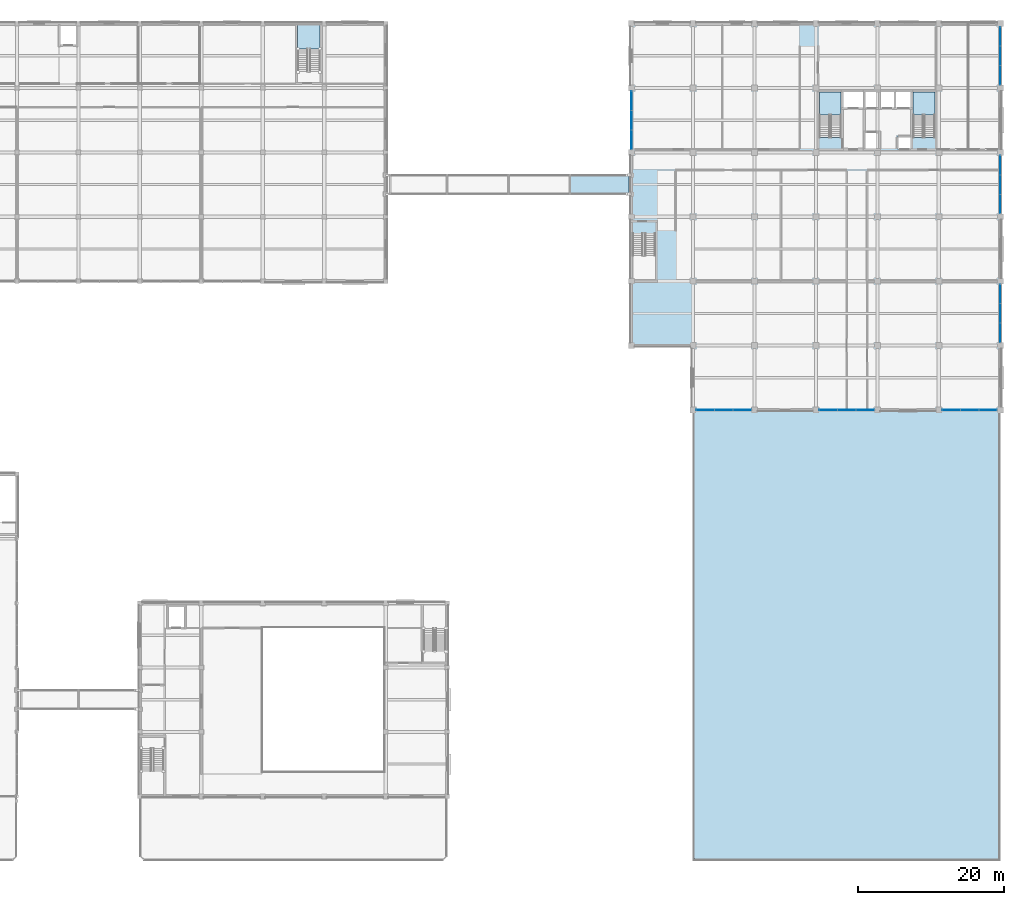
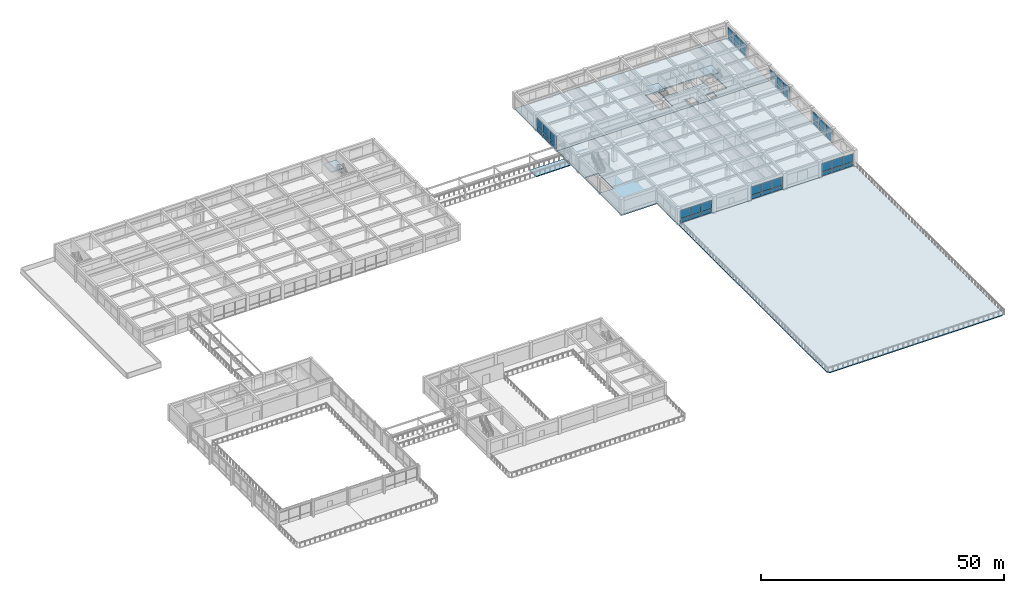
# One storey, part 31 of 57: 42 plates, 7 slabs, 10 elements without a shape of their own.
"""IFC4 building model written with IfcOpenShell, lengths in metres."""

from ifc_helpers import new_model, si_unit, direction, frame, origin, origin_2d, place, context, subcontext, project, spatial, polyline, rectangle, outline, extrude, material, layer, layer_set, type_object, element, aggregate, save


model = new_model("IFC4")

# Units and contexts
model_context = context("Model", 3, precision=1e-05, world=origin(), true_north=direction((0.0, 1.0)))
body_context = subcontext(model_context, "Body", "Model", "MODEL_VIEW")
ifc_project = project(units=[si_unit("LENGTHUNIT", "METRE"), si_unit("AREAUNIT", "SQUARE_METRE"), si_unit("VOLUMEUNIT", "CUBIC_METRE"), si_unit("PLANEANGLEUNIT", "RADIAN"), si_unit("MASSUNIT", "GRAM", prefix="KILO")], contexts=[model_context])

# Site, building, storey
site_placement = place(None, origin())
site = spatial("IfcSite", under=ifc_project, at=site_placement, CompositionType="ELEMENT")
building_placement = place(site_placement, origin())
building = spatial("IfcBuilding", under=site, at=building_placement, Name="Kemercrest Conservatory and Botanical Centre", CompositionType="ELEMENT")
storey_placement = place(building_placement, frame((0.0, 0.0, 4.800048828125)))
storey = spatial("IfcBuildingStorey", under=building, at=storey_placement, Name="L01", CompositionType="ELEMENT", Elevation=4.800048828125)

# Curtain wall, plates
ifc_material_1 = material(Name="Thermally broken aluminium and triple low-e glazing", Category="aluminium")
curtain_wall_type_1 = type_object("IfcCurtainWallType", Name="CW-19", PredefinedType="USERDEFINED", material=ifc_material_1)
curtain_wall_1_placement = place(storey_placement, origin())
curtain_wall_1 = element("IfcCurtainWall", 1, at=curtain_wall_1_placement, inside=storey, type_object=curtain_wall_type_1, Name="Unitised curtain wall CW-19 (CW:L01:V4-048)", ObjectType="UNITISED CURTAIN WALL", PredefinedType="USERDEFINED")
ifc_material_2 = material(Name="Triple low-e argon insulated glazing unit", Category="glass")
ifc_layer_1 = layer(ifc_material_2, 0.035888671875)
ifc_layer_set_1 = layer_set([ifc_layer_1], Name="Triple low-e argon insulated glazing unit")
plate_type = type_object("IfcPlateType", Name="CW-PNL036", PredefinedType="CURTAIN_PANEL", material=ifc_layer_set_1)
plate_1_placement = place(storey_placement, frame((135.6796875, 69.60009765625, 0.179931640625), z_axis=(0.0, 0.0, 1.0), x_axis=(1.0, 0.0, 0.0)))
plate_1 = element("IfcPlate", 2, at=plate_1_placement, type_object=plate_type, Name="CW-19 panel 1.1", PredefinedType="CURTAIN_PANEL", context=body_context, shape_type="SweptSolid", body=[
    extrude(rectangle(XDim=2.439208984375, YDim=0.035888671875, at=origin_2d()), origin(), (0.0, 0.0, 1.0), 0.85009765625),
])
plate_2_placement = place(storey_placement, frame((135.6796875, 69.60009765625, 1.2099609375), z_axis=(0.0, 0.0, 1.0), x_axis=(1.0, 0.0, 0.0)))
plate_2 = element("IfcPlate", 3, at=plate_2_placement, type_object=plate_type, Name="CW-19 panel 1.2", PredefinedType="CURTAIN_PANEL", context=body_context, shape_type="SweptSolid", body=[
    extrude(rectangle(XDim=2.439208984375, YDim=0.035888671875, at=origin_2d()), origin(), (0.0, 0.0, 1.0), 2.06494140625),
])
plate_3_placement = place(storey_placement, frame((138.199951171875, 69.60009765625, 0.179931640625), z_axis=(0.0, 0.0, 1.0), x_axis=(1.0, 0.0, 0.0)))
plate_3 = element("IfcPlate", 4, at=plate_3_placement, type_object=plate_type, Name="CW-19 panel 2.1", PredefinedType="CURTAIN_PANEL", context=body_context, shape_type="SweptSolid", body=[
    extrude(rectangle(XDim=2.4716796875, YDim=0.035888671875, at=origin_2d()), origin(), (0.0, 0.0, 1.0), 0.85009765625),
])
plate_4_placement = place(storey_placement, frame((138.199951171875, 69.60009765625, 1.2099609375), z_axis=(0.0, 0.0, 1.0), x_axis=(1.0, 0.0, 0.0)))
plate_4 = element("IfcPlate", 5, at=plate_4_placement, type_object=plate_type, Name="CW-19 panel 2.2", PredefinedType="CURTAIN_PANEL", context=body_context, shape_type="SweptSolid", body=[
    extrude(rectangle(XDim=2.4716796875, YDim=0.035888671875, at=origin_2d()), origin(), (0.0, 0.0, 1.0), 2.06494140625),
])
plate_5_placement = place(storey_placement, frame((140.720458984375, 69.60009765625, 0.179931640625), z_axis=(0.0, 0.0, 1.0), x_axis=(1.0, 0.0, 0.0)))
plate_5 = element("IfcPlate", 6, at=plate_5_placement, type_object=plate_type, Name="CW-19 panel 3.1", PredefinedType="CURTAIN_PANEL", context=body_context, shape_type="SweptSolid", body=[
    extrude(rectangle(XDim=2.439208984375, YDim=0.035888671875, at=origin_2d()), origin(), (0.0, 0.0, 1.0), 0.85009765625),
])
plate_6_placement = place(storey_placement, frame((140.720458984375, 69.60009765625, 1.2099609375), z_axis=(0.0, 0.0, 1.0), x_axis=(1.0, 0.0, 0.0)))
plate_6 = element("IfcPlate", 7, at=plate_6_placement, type_object=plate_type, Name="CW-19 panel 3.2", PredefinedType="CURTAIN_PANEL", context=body_context, shape_type="SweptSolid", body=[
    extrude(rectangle(XDim=2.439208984375, YDim=0.035888671875, at=origin_2d()), origin(), (0.0, 0.0, 1.0), 2.06494140625),
])
aggregate(curtain_wall_1, [plate_1, plate_2, plate_3, plate_4, plate_5, plate_6])

curtain_wall_type_2 = type_object("IfcCurtainWallType", Name="CW-20", PredefinedType="USERDEFINED", material=ifc_material_1)
curtain_wall_2_placement = place(storey_placement, origin())
curtain_wall_2 = element("IfcCurtainWall", 8, at=curtain_wall_2_placement, inside=storey, type_object=curtain_wall_type_2, Name="Unitised curtain wall CW-20 (CW:L01:V4-049)", ObjectType="UNITISED CURTAIN WALL", PredefinedType="USERDEFINED")
plate_7_placement = place(storey_placement, frame((152.4794921875, 69.60009765625, 0.179931640625), z_axis=(0.0, 0.0, 1.0), x_axis=(1.0, 0.0, 0.0)))
plate_7 = element("IfcPlate", 9, at=plate_7_placement, type_object=plate_type, Name="CW-20 panel 1.1", PredefinedType="CURTAIN_PANEL", context=body_context, shape_type="SweptSolid", body=[
    extrude(rectangle(XDim=2.439208984375, YDim=0.035888671875, at=origin_2d()), origin(), (0.0, 0.0, 1.0), 0.85009765625),
])
plate_8_placement = place(storey_placement, frame((152.4794921875, 69.60009765625, 1.2099609375), z_axis=(0.0, 0.0, 1.0), x_axis=(1.0, 0.0, 0.0)))
plate_8 = element("IfcPlate", 10, at=plate_8_placement, type_object=plate_type, Name="CW-20 panel 1.2", PredefinedType="CURTAIN_PANEL", context=body_context, shape_type="SweptSolid", body=[
    extrude(rectangle(XDim=2.439208984375, YDim=0.035888671875, at=origin_2d()), origin(), (0.0, 0.0, 1.0), 2.06494140625),
])
plate_9_placement = place(storey_placement, frame((155.0, 69.60009765625, 0.179931640625), z_axis=(0.0, 0.0, 1.0), x_axis=(1.0, 0.0, 0.0)))
plate_9 = element("IfcPlate", 11, at=plate_9_placement, type_object=plate_type, Name="CW-20 panel 2.1", PredefinedType="CURTAIN_PANEL", context=body_context, shape_type="SweptSolid", body=[
    extrude(rectangle(XDim=2.4716796875, YDim=0.035888671875, at=origin_2d()), origin(), (0.0, 0.0, 1.0), 0.85009765625),
])
plate_10_placement = place(storey_placement, frame((155.0, 69.60009765625, 1.2099609375), z_axis=(0.0, 0.0, 1.0), x_axis=(1.0, 0.0, 0.0)))
plate_10 = element("IfcPlate", 12, at=plate_10_placement, type_object=plate_type, Name="CW-20 panel 2.2", PredefinedType="CURTAIN_PANEL", context=body_context, shape_type="SweptSolid", body=[
    extrude(rectangle(XDim=2.4716796875, YDim=0.035888671875, at=origin_2d()), origin(), (0.0, 0.0, 1.0), 2.06494140625),
])
plate_11_placement = place(storey_placement, frame((157.5205078125, 69.60009765625, 0.179931640625), z_axis=(0.0, 0.0, 1.0), x_axis=(1.0, 0.0, 0.0)))
plate_11 = element("IfcPlate", 13, at=plate_11_placement, type_object=plate_type, Name="CW-20 panel 3.1", PredefinedType="CURTAIN_PANEL", context=body_context, shape_type="SweptSolid", body=[
    extrude(rectangle(XDim=2.439208984375, YDim=0.035888671875, at=origin_2d()), origin(), (0.0, 0.0, 1.0), 0.85009765625),
])
plate_12_placement = place(storey_placement, frame((157.5205078125, 69.60009765625, 1.2099609375), z_axis=(0.0, 0.0, 1.0), x_axis=(1.0, 0.0, 0.0)))
plate_12 = element("IfcPlate", 14, at=plate_12_placement, type_object=plate_type, Name="CW-20 panel 3.2", PredefinedType="CURTAIN_PANEL", context=body_context, shape_type="SweptSolid", body=[
    extrude(rectangle(XDim=2.439208984375, YDim=0.035888671875, at=origin_2d()), origin(), (0.0, 0.0, 1.0), 2.06494140625),
])
aggregate(curtain_wall_2, [plate_7, plate_8, plate_9, plate_10, plate_11, plate_12])

curtain_wall_type_3 = type_object("IfcCurtainWallType", Name="CW-21", PredefinedType="USERDEFINED", material=ifc_material_1)
curtain_wall_3_placement = place(storey_placement, origin())
curtain_wall_3 = element("IfcCurtainWall", 15, at=curtain_wall_3_placement, inside=storey, type_object=curtain_wall_type_3, Name="Unitised curtain wall CW-21 (CW:L01:V4-050)", ObjectType="UNITISED CURTAIN WALL", PredefinedType="USERDEFINED")
plate_13_placement = place(storey_placement, frame((169.279541015625, 69.60009765625, 0.179931640625), z_axis=(0.0, 0.0, 1.0), x_axis=(1.0, 0.0, 0.0)))
plate_13 = element("IfcPlate", 16, at=plate_13_placement, type_object=plate_type, Name="CW-21 panel 1.1", PredefinedType="CURTAIN_PANEL", context=body_context, shape_type="SweptSolid", body=[
    extrude(rectangle(XDim=2.439208984375, YDim=0.035888671875, at=origin_2d()), origin(), (0.0, 0.0, 1.0), 0.85009765625),
])
plate_14_placement = place(storey_placement, frame((169.279541015625, 69.60009765625, 1.2099609375), z_axis=(0.0, 0.0, 1.0), x_axis=(1.0, 0.0, 0.0)))
plate_14 = element("IfcPlate", 17, at=plate_14_placement, type_object=plate_type, Name="CW-21 panel 1.2", PredefinedType="CURTAIN_PANEL", context=body_context, shape_type="SweptSolid", body=[
    extrude(rectangle(XDim=2.439208984375, YDim=0.035888671875, at=origin_2d()), origin(), (0.0, 0.0, 1.0), 2.06494140625),
])
plate_15_placement = place(storey_placement, frame((171.800048828125, 69.60009765625, 0.179931640625), z_axis=(0.0, 0.0, 1.0), x_axis=(1.0, 0.0, 0.0)))
plate_15 = element("IfcPlate", 18, at=plate_15_placement, type_object=plate_type, Name="CW-21 panel 2.1", PredefinedType="CURTAIN_PANEL", context=body_context, shape_type="SweptSolid", body=[
    extrude(rectangle(XDim=2.4716796875, YDim=0.035888671875, at=origin_2d()), origin(), (0.0, 0.0, 1.0), 0.85009765625),
])
plate_16_placement = place(storey_placement, frame((171.800048828125, 69.60009765625, 1.2099609375), z_axis=(0.0, 0.0, 1.0), x_axis=(1.0, 0.0, 0.0)))
plate_16 = element("IfcPlate", 19, at=plate_16_placement, type_object=plate_type, Name="CW-21 panel 2.2", PredefinedType="CURTAIN_PANEL", context=body_context, shape_type="SweptSolid", body=[
    extrude(rectangle(XDim=2.4716796875, YDim=0.035888671875, at=origin_2d()), origin(), (0.0, 0.0, 1.0), 2.06494140625),
])
plate_17_placement = place(storey_placement, frame((174.3203125, 69.60009765625, 0.179931640625), z_axis=(0.0, 0.0, 1.0), x_axis=(1.0, 0.0, 0.0)))
plate_17 = element("IfcPlate", 20, at=plate_17_placement, type_object=plate_type, Name="CW-21 panel 3.1", PredefinedType="CURTAIN_PANEL", context=body_context, shape_type="SweptSolid", body=[
    extrude(rectangle(XDim=2.439208984375, YDim=0.035888671875, at=origin_2d()), origin(), (0.0, 0.0, 1.0), 0.85009765625),
])
plate_18_placement = place(storey_placement, frame((174.3203125, 69.60009765625, 1.2099609375), z_axis=(0.0, 0.0, 1.0), x_axis=(1.0, 0.0, 0.0)))
plate_18 = element("IfcPlate", 21, at=plate_18_placement, type_object=plate_type, Name="CW-21 panel 3.2", PredefinedType="CURTAIN_PANEL", context=body_context, shape_type="SweptSolid", body=[
    extrude(rectangle(XDim=2.439208984375, YDim=0.035888671875, at=origin_2d()), origin(), (0.0, 0.0, 1.0), 2.06494140625),
])
aggregate(curtain_wall_3, [plate_13, plate_14, plate_15, plate_16, plate_17, plate_18])

curtain_wall_type_4 = type_object("IfcCurtainWallType", Name="CW-22", PredefinedType="USERDEFINED", material=ifc_material_1)
curtain_wall_4_placement = place(storey_placement, origin())
curtain_wall_4 = element("IfcCurtainWall", 22, at=curtain_wall_4_placement, inside=storey, type_object=curtain_wall_type_4, Name="Unitised curtain wall CW-22 (CW:L01:V4-051)", ObjectType="UNITISED CURTAIN WALL", PredefinedType="USERDEFINED")
plate_19_placement = place(storey_placement, frame((176.0, 80.146240234375, 0.179931640625), z_axis=(0.0, 0.0, 1.0), x_axis=(0.0, 1.0, 0.0)))
plate_19 = element("IfcPlate", 23, at=plate_19_placement, type_object=plate_type, Name="CW-22 panel 1.1", PredefinedType="CURTAIN_PANEL", context=body_context, shape_type="SweptSolid", body=[
    extrude(rectangle(XDim=2.572509765625, YDim=0.035888671875, at=origin_2d()), origin(), (0.0, 0.0, 1.0), 0.85009765625),
])
plate_20_placement = place(storey_placement, frame((176.0, 80.146240234375, 1.2099609375), z_axis=(0.0, 0.0, 1.0), x_axis=(0.0, 1.0, 0.0)))
plate_20 = element("IfcPlate", 24, at=plate_20_placement, type_object=plate_type, Name="CW-22 panel 1.2", PredefinedType="CURTAIN_PANEL", context=body_context, shape_type="SweptSolid", body=[
    extrude(rectangle(XDim=2.572509765625, YDim=0.035888671875, at=origin_2d()), origin(), (0.0, 0.0, 1.0), 2.06494140625),
])
plate_21_placement = place(storey_placement, frame((176.0, 82.800048828125, 0.179931640625), z_axis=(0.0, 0.0, 1.0), x_axis=(0.0, 1.0, 0.0)))
plate_21 = element("IfcPlate", 25, at=plate_21_placement, type_object=plate_type, Name="CW-22 panel 2.1", PredefinedType="CURTAIN_PANEL", context=body_context, shape_type="SweptSolid", body=[
    extrude(rectangle(XDim=2.60498046875, YDim=0.035888671875, at=origin_2d()), origin(), (0.0, 0.0, 1.0), 0.85009765625),
])
plate_22_placement = place(storey_placement, frame((176.0, 82.800048828125, 1.2099609375), z_axis=(0.0, 0.0, 1.0), x_axis=(0.0, 1.0, 0.0)))
plate_22 = element("IfcPlate", 26, at=plate_22_placement, type_object=plate_type, Name="CW-22 panel 2.2", PredefinedType="CURTAIN_PANEL", context=body_context, shape_type="SweptSolid", body=[
    extrude(rectangle(XDim=2.60498046875, YDim=0.035888671875, at=origin_2d()), origin(), (0.0, 0.0, 1.0), 2.06494140625),
])
plate_23_placement = place(storey_placement, frame((176.0, 85.453857421875, 0.179931640625), z_axis=(0.0, 0.0, 1.0), x_axis=(0.0, 1.0, 0.0)))
plate_23 = element("IfcPlate", 27, at=plate_23_placement, type_object=plate_type, Name="CW-22 panel 3.1", PredefinedType="CURTAIN_PANEL", context=body_context, shape_type="SweptSolid", body=[
    extrude(rectangle(XDim=2.572509765625, YDim=0.035888671875, at=origin_2d()), origin(), (0.0, 0.0, 1.0), 0.85009765625),
])
plate_24_placement = place(storey_placement, frame((176.0, 85.453857421875, 1.2099609375), z_axis=(0.0, 0.0, 1.0), x_axis=(0.0, 1.0, 0.0)))
plate_24 = element("IfcPlate", 28, at=plate_24_placement, type_object=plate_type, Name="CW-22 panel 3.2", PredefinedType="CURTAIN_PANEL", context=body_context, shape_type="SweptSolid", body=[
    extrude(rectangle(XDim=2.572509765625, YDim=0.035888671875, at=origin_2d()), origin(), (0.0, 0.0, 1.0), 2.06494140625),
])
aggregate(curtain_wall_4, [plate_19, plate_20, plate_21, plate_22, plate_23, plate_24])

curtain_wall_type_5 = type_object("IfcCurtainWallType", Name="CW-23", PredefinedType="USERDEFINED", material=ifc_material_1)
curtain_wall_5_placement = place(storey_placement, origin())
curtain_wall_5 = element("IfcCurtainWall", 29, at=curtain_wall_5_placement, inside=storey, type_object=curtain_wall_type_5, Name="Unitised curtain wall CW-23 (CW:L01:V4-052)", ObjectType="UNITISED CURTAIN WALL", PredefinedType="USERDEFINED")
plate_25_placement = place(storey_placement, frame((176.0, 97.746337890625, 0.179931640625), z_axis=(0.0, 0.0, 1.0), x_axis=(0.0, 1.0, 0.0)))
plate_25 = element("IfcPlate", 30, at=plate_25_placement, type_object=plate_type, Name="CW-23 panel 1.1", PredefinedType="CURTAIN_PANEL", context=body_context, shape_type="SweptSolid", body=[
    extrude(rectangle(XDim=2.572509765625, YDim=0.035888671875, at=origin_2d()), origin(), (0.0, 0.0, 1.0), 0.85009765625),
])
plate_26_placement = place(storey_placement, frame((176.0, 97.746337890625, 1.2099609375), z_axis=(0.0, 0.0, 1.0), x_axis=(0.0, 1.0, 0.0)))
plate_26 = element("IfcPlate", 31, at=plate_26_placement, type_object=plate_type, Name="CW-23 panel 1.2", PredefinedType="CURTAIN_PANEL", context=body_context, shape_type="SweptSolid", body=[
    extrude(rectangle(XDim=2.572509765625, YDim=0.035888671875, at=origin_2d()), origin(), (0.0, 0.0, 1.0), 2.06494140625),
])
plate_27_placement = place(storey_placement, frame((176.0, 100.39990234375, 0.179931640625), z_axis=(0.0, 0.0, 1.0), x_axis=(0.0, 1.0, 0.0)))
plate_27 = element("IfcPlate", 32, at=plate_27_placement, type_object=plate_type, Name="CW-23 panel 2.1", PredefinedType="CURTAIN_PANEL", context=body_context, shape_type="SweptSolid", body=[
    extrude(rectangle(XDim=2.60498046875, YDim=0.035888671875, at=origin_2d()), origin(), (0.0, 0.0, 1.0), 0.85009765625),
])
plate_28_placement = place(storey_placement, frame((176.0, 100.39990234375, 1.2099609375), z_axis=(0.0, 0.0, 1.0), x_axis=(0.0, 1.0, 0.0)))
plate_28 = element("IfcPlate", 33, at=plate_28_placement, type_object=plate_type, Name="CW-23 panel 2.2", PredefinedType="CURTAIN_PANEL", context=body_context, shape_type="SweptSolid", body=[
    extrude(rectangle(XDim=2.60498046875, YDim=0.035888671875, at=origin_2d()), origin(), (0.0, 0.0, 1.0), 2.06494140625),
])
plate_29_placement = place(storey_placement, frame((176.0, 103.0537109375, 0.179931640625), z_axis=(0.0, 0.0, 1.0), x_axis=(0.0, 1.0, 0.0)))
plate_29 = element("IfcPlate", 34, at=plate_29_placement, type_object=plate_type, Name="CW-23 panel 3.1", PredefinedType="CURTAIN_PANEL", context=body_context, shape_type="SweptSolid", body=[
    extrude(rectangle(XDim=2.572509765625, YDim=0.035888671875, at=origin_2d()), origin(), (0.0, 0.0, 1.0), 0.85009765625),
])
plate_30_placement = place(storey_placement, frame((176.0, 103.0537109375, 1.2099609375), z_axis=(0.0, 0.0, 1.0), x_axis=(0.0, 1.0, 0.0)))
plate_30 = element("IfcPlate", 35, at=plate_30_placement, type_object=plate_type, Name="CW-23 panel 3.2", PredefinedType="CURTAIN_PANEL", context=body_context, shape_type="SweptSolid", body=[
    extrude(rectangle(XDim=2.572509765625, YDim=0.035888671875, at=origin_2d()), origin(), (0.0, 0.0, 1.0), 2.06494140625),
])
aggregate(curtain_wall_5, [plate_25, plate_26, plate_27, plate_28, plate_29, plate_30])

curtain_wall_type_6 = type_object("IfcCurtainWallType", Name="CW-24", PredefinedType="USERDEFINED", material=ifc_material_1)
curtain_wall_6_placement = place(storey_placement, origin())
curtain_wall_6 = element("IfcCurtainWall", 36, at=curtain_wall_6_placement, inside=storey, type_object=curtain_wall_type_6, Name="Unitised curtain wall CW-24 (CW:L01:V4-053)", ObjectType="UNITISED CURTAIN WALL", PredefinedType="USERDEFINED")
plate_31_placement = place(storey_placement, frame((176.0, 115.34619140625, 0.179931640625), z_axis=(0.0, 0.0, 1.0), x_axis=(0.0, 1.0, 0.0)))
plate_31 = element("IfcPlate", 37, at=plate_31_placement, type_object=plate_type, Name="CW-24 panel 1.1", PredefinedType="CURTAIN_PANEL", context=body_context, shape_type="SweptSolid", body=[
    extrude(rectangle(XDim=2.572509765625, YDim=0.035888671875, at=origin_2d()), origin(), (0.0, 0.0, 1.0), 0.85009765625),
])
plate_32_placement = place(storey_placement, frame((176.0, 115.34619140625, 1.2099609375), z_axis=(0.0, 0.0, 1.0), x_axis=(0.0, 1.0, 0.0)))
plate_32 = element("IfcPlate", 38, at=plate_32_placement, type_object=plate_type, Name="CW-24 panel 1.2", PredefinedType="CURTAIN_PANEL", context=body_context, shape_type="SweptSolid", body=[
    extrude(rectangle(XDim=2.572509765625, YDim=0.035888671875, at=origin_2d()), origin(), (0.0, 0.0, 1.0), 2.06494140625),
])
plate_33_placement = place(storey_placement, frame((176.0, 118.0, 0.179931640625), z_axis=(0.0, 0.0, 1.0), x_axis=(0.0, 1.0, 0.0)))
plate_33 = element("IfcPlate", 39, at=plate_33_placement, type_object=plate_type, Name="CW-24 panel 2.1", PredefinedType="CURTAIN_PANEL", context=body_context, shape_type="SweptSolid", body=[
    extrude(rectangle(XDim=2.60498046875, YDim=0.035888671875, at=origin_2d()), origin(), (0.0, 0.0, 1.0), 0.85009765625),
])
plate_34_placement = place(storey_placement, frame((176.0, 118.0, 1.2099609375), z_axis=(0.0, 0.0, 1.0), x_axis=(0.0, 1.0, 0.0)))
plate_34 = element("IfcPlate", 40, at=plate_34_placement, type_object=plate_type, Name="CW-24 panel 2.2", PredefinedType="CURTAIN_PANEL", context=body_context, shape_type="SweptSolid", body=[
    extrude(rectangle(XDim=2.60498046875, YDim=0.035888671875, at=origin_2d()), origin(), (0.0, 0.0, 1.0), 2.06494140625),
])
plate_35_placement = place(storey_placement, frame((176.0, 120.65380859375, 0.179931640625), z_axis=(0.0, 0.0, 1.0), x_axis=(0.0, 1.0, 0.0)))
plate_35 = element("IfcPlate", 41, at=plate_35_placement, type_object=plate_type, Name="CW-24 panel 3.1", PredefinedType="CURTAIN_PANEL", context=body_context, shape_type="SweptSolid", body=[
    extrude(rectangle(XDim=2.572509765625, YDim=0.035888671875, at=origin_2d()), origin(), (0.0, 0.0, 1.0), 0.85009765625),
])
plate_36_placement = place(storey_placement, frame((176.0, 120.65380859375, 1.2099609375), z_axis=(0.0, 0.0, 1.0), x_axis=(0.0, 1.0, 0.0)))
plate_36 = element("IfcPlate", 42, at=plate_36_placement, type_object=plate_type, Name="CW-24 panel 3.2", PredefinedType="CURTAIN_PANEL", context=body_context, shape_type="SweptSolid", body=[
    extrude(rectangle(XDim=2.572509765625, YDim=0.035888671875, at=origin_2d()), origin(), (0.0, 0.0, 1.0), 2.06494140625),
])
aggregate(curtain_wall_6, [plate_31, plate_32, plate_33, plate_34, plate_35, plate_36])

curtain_wall_type_7 = type_object("IfcCurtainWallType", Name="CW-25", PredefinedType="USERDEFINED", material=ifc_material_1)
curtain_wall_7_placement = place(storey_placement, origin())
curtain_wall_7 = element("IfcCurtainWall", 43, at=curtain_wall_7_placement, inside=storey, type_object=curtain_wall_type_7, Name="Unitised curtain wall CW-25 (CW:L01:V4-054)", ObjectType="UNITISED CURTAIN WALL", PredefinedType="USERDEFINED")
plate_37_placement = place(storey_placement, frame((125.60009765625, 111.853759765625, 0.179931640625), z_axis=(0.0, 0.0, 1.0), x_axis=(0.0, -1.0, 0.0)))
plate_37 = element("IfcPlate", 44, at=plate_37_placement, type_object=plate_type, Name="CW-25 panel 1.1", PredefinedType="CURTAIN_PANEL", context=body_context, shape_type="SweptSolid", body=[
    extrude(rectangle(XDim=2.572509765625, YDim=0.035888671875, at=origin_2d()), origin(), (0.0, 0.0, 1.0), 0.85009765625),
])
plate_38_placement = place(storey_placement, frame((125.60009765625, 111.853759765625, 1.2099609375), z_axis=(0.0, 0.0, 1.0), x_axis=(0.0, -1.0, 0.0)))
plate_38 = element("IfcPlate", 45, at=plate_38_placement, type_object=plate_type, Name="CW-25 panel 1.2", PredefinedType="CURTAIN_PANEL", context=body_context, shape_type="SweptSolid", body=[
    extrude(rectangle(XDim=2.572509765625, YDim=0.035888671875, at=origin_2d()), origin(), (0.0, 0.0, 1.0), 2.06494140625),
])
plate_39_placement = place(storey_placement, frame((125.60009765625, 109.199951171875, 0.179931640625), z_axis=(0.0, 0.0, 1.0), x_axis=(0.0, -1.0, 0.0)))
plate_39 = element("IfcPlate", 46, at=plate_39_placement, type_object=plate_type, Name="CW-25 panel 2.1", PredefinedType="CURTAIN_PANEL", context=body_context, shape_type="SweptSolid", body=[
    extrude(rectangle(XDim=2.60498046875, YDim=0.035888671875, at=origin_2d()), origin(), (0.0, 0.0, 1.0), 0.85009765625),
])
plate_40_placement = place(storey_placement, frame((125.60009765625, 109.199951171875, 1.2099609375), z_axis=(0.0, 0.0, 1.0), x_axis=(0.0, -1.0, 0.0)))
plate_40 = element("IfcPlate", 47, at=plate_40_placement, type_object=plate_type, Name="CW-25 panel 2.2", PredefinedType="CURTAIN_PANEL", context=body_context, shape_type="SweptSolid", body=[
    extrude(rectangle(XDim=2.60498046875, YDim=0.035888671875, at=origin_2d()), origin(), (0.0, 0.0, 1.0), 2.06494140625),
])
plate_41_placement = place(storey_placement, frame((125.60009765625, 106.546142578125, 0.179931640625), z_axis=(0.0, 0.0, 1.0), x_axis=(0.0, -1.0, 0.0)))
plate_41 = element("IfcPlate", 48, at=plate_41_placement, type_object=plate_type, Name="CW-25 panel 3.1", PredefinedType="CURTAIN_PANEL", context=body_context, shape_type="SweptSolid", body=[
    extrude(rectangle(XDim=2.572509765625, YDim=0.035888671875, at=origin_2d()), origin(), (0.0, 0.0, 1.0), 0.85009765625),
])
plate_42_placement = place(storey_placement, frame((125.60009765625, 106.546142578125, 1.2099609375), z_axis=(0.0, 0.0, 1.0), x_axis=(0.0, -1.0, 0.0)))
plate_42 = element("IfcPlate", 49, at=plate_42_placement, type_object=plate_type, Name="CW-25 panel 3.2", PredefinedType="CURTAIN_PANEL", context=body_context, shape_type="SweptSolid", body=[
    extrude(rectangle(XDim=2.572509765625, YDim=0.035888671875, at=origin_2d()), origin(), (0.0, 0.0, 1.0), 2.06494140625),
])
aggregate(curtain_wall_7, [plate_37, plate_38, plate_39, plate_40, plate_41, plate_42])

# Slabs
ifc_material_3 = material(Name="Concrete C40/50", Category="concrete")
ifc_layer_2 = layer(ifc_material_3, 0.219970703125)
ifc_layer_set_2 = layer_set([ifc_layer_2], Name="Concrete C40/50")
slab_type_1 = type_object("IfcSlabType", Name="SL-FL220", PredefinedType="FLOOR", material=ifc_layer_set_2)
slab_1_placement = place(storey_placement, frame((0.0, 0.0, -0.219970703125)))
element("IfcSlab", 50, at=slab_1_placement, inside=storey, type_object=slab_type_1, Name="North Courtyard Covered Passage SJ-3 L01 span 5 slab", PredefinedType="FLOOR", context=body_context, shape_type="SweptSolid", body=[
    extrude(outline(polyline([(117.260009765625, 99.10009765625), (125.25, 99.10009765625), (125.25, 101.699951171875), (117.260009765625, 101.699951171875), (117.260009765625, 99.10009765625)])), origin(), (0.0, 0.0, 1.0), 0.219970703125),
])
ifc_layer_3 = layer(ifc_material_3, 0.280029296875)
ifc_layer_set_3 = layer_set([ifc_layer_3], Name="Concrete C40/50")
slab_type_2 = type_object("IfcSlabType", Name="SL-FL280", PredefinedType="FLOOR", material=ifc_layer_set_3)
slab_2_placement = place(storey_placement, frame((0.0, 0.0, -0.280029296875)))
element("IfcSlab", 51, at=slab_2_placement, inside=storey, type_object=slab_type_2, Name="V4 Tower L01 North Core and Studio Slab", PredefinedType="FLOOR", context=body_context, shape_type="SweptSolid", body=[
    extrude(outline(polyline([(125.60009765625, 122.39990234375), (125.60009765625, 104.800048828125), (176.0, 104.800048828125), (176.0, 122.39990234375), (125.60009765625, 122.39990234375)]), holes=[polyline([(164.06005859375, 106.864990234375), (164.06005859375, 113.06005859375), (167.0400390625, 113.06005859375), (167.0400390625, 106.864990234375), (164.06005859375, 106.864990234375)]), polyline([(154.39990234375, 110.800048828125), (154.39990234375, 113.199951171875), (163.89990234375, 113.199951171875), (163.89990234375, 110.800048828125), (154.39990234375, 110.800048828125)]), polyline([(161.949951171875, 105.25), (161.949951171875, 106.949951171875), (163.85009765625, 106.949951171875), (163.85009765625, 105.25), (161.949951171875, 105.25)]), polyline([(157.39990234375, 105.199951171875), (157.39990234375, 107.60009765625), (159.5, 107.60009765625), (159.5, 105.199951171875), (157.39990234375, 105.199951171875)]), polyline([(154.239990234375, 106.864990234375), (151.260009765625, 106.864990234375), (151.260009765625, 113.06005859375), (154.239990234375, 113.06005859375), (154.239990234375, 106.864990234375)])]), origin(), (0.0, 0.0, 1.0), 0.280029296875),
])
slab_3_placement = place(storey_placement, frame((0.0, 0.0, -0.280029296875)))
element("IfcSlab", 52, at=slab_3_placement, inside=storey, type_object=slab_type_2, Name="V4 Tower L01 South Laboratory Slab", PredefinedType="FLOOR", context=body_context, shape_type="SweptSolid", body=[
    extrude(outline(polyline([(134.0, 78.39990234375), (134.0, 69.60009765625), (176.0, 69.60009765625), (176.0, 104.800048828125), (125.60009765625, 104.800048828125), (125.60009765625, 78.39990234375), (134.0, 78.39990234375)]), holes=[polyline([(174.199951171875, 95.800048828125), (175.39990234375, 95.800048828125), (175.39990234375, 94.800048828125), (174.199951171875, 94.800048828125), (174.199951171875, 95.800048828125)]), polyline([(128.840087890625, 93.735107421875), (128.840087890625, 87.340087890625), (125.760009765625, 87.340087890625), (125.760009765625, 93.735107421875), (128.840087890625, 93.735107421875)])]), origin(), (0.0, 0.0, 1.0), 0.280029296875),
])

# Stair, slab
stair_type_1 = type_object("IfcStairType", Name="ST-140-42", PredefinedType="HALF_TURN_STAIR", material=ifc_material_3)
stair_1_placement = place(storey_placement, origin())
stair_1 = element("IfcStair", 53, at=stair_1_placement, inside=storey, type_object=stair_type_1, Name="L01 Exit stair ST-V3B", PredefinedType="HALF_TURN_STAIR")
ifc_layer_4 = layer(ifc_material_3, 0.199951171875)
ifc_layer_set_4 = layer_set([ifc_layer_4], Name="Concrete C40/50")
slab_type_3 = type_object("IfcSlabType", Name="SL-LND200", PredefinedType="LANDING", material=ifc_layer_set_4)
slab_4_placement = place(storey_placement, frame((0.0, 0.0, 1.89990234375)))
slab_4 = element("IfcSlab", 54, at=slab_4_placement, type_object=slab_type_3, Name="ST-V3B landing 1", PredefinedType="LANDING", context=body_context, shape_type="SweptSolid", body=[
    extrude(outline(polyline([(83.0400390625, 118.919921875), (83.0400390625, 122.260009765625), (79.9599609375, 122.260009765625), (79.9599609375, 118.919921875), (83.0400390625, 118.919921875)])), origin(), (0.0, 0.0, 1.0), 0.199951171875),
])
aggregate(stair_1, [slab_4])

stair_type_2 = type_object("IfcStairType", Name="ST-142-42", PredefinedType="HALF_TURN_STAIR", material=ifc_material_3)
stair_2_placement = place(storey_placement, origin())
stair_2 = element("IfcStair", 55, at=stair_2_placement, inside=storey, type_object=stair_type_2, Name="L01 Exit stair ST-V4A", PredefinedType="HALF_TURN_STAIR")
slab_5_placement = place(storey_placement, frame((0.0, 0.0, 1.89990234375)))
slab_5 = element("IfcSlab", 56, at=slab_5_placement, type_object=slab_type_3, Name="ST-V4A landing 1", PredefinedType="LANDING", context=body_context, shape_type="SweptSolid", body=[
    extrude(outline(polyline([(154.239990234375, 109.919921875), (154.239990234375, 113.06005859375), (151.260009765625, 113.06005859375), (151.260009765625, 109.919921875), (154.239990234375, 109.919921875)])), origin(), (0.0, 0.0, 1.0), 0.199951171875),
])
aggregate(stair_2, [slab_5])

stair_3_placement = place(storey_placement, origin())
stair_3 = element("IfcStair", 57, at=stair_3_placement, inside=storey, type_object=stair_type_2, Name="L01 Exit stair ST-V4B", PredefinedType="HALF_TURN_STAIR")
slab_6_placement = place(storey_placement, frame((0.0, 0.0, 1.89990234375)))
slab_6 = element("IfcSlab", 58, at=slab_6_placement, type_object=slab_type_3, Name="ST-V4B landing 1", PredefinedType="LANDING", context=body_context, shape_type="SweptSolid", body=[
    extrude(outline(polyline([(167.0400390625, 109.919921875), (167.0400390625, 113.06005859375), (164.06005859375, 113.06005859375), (164.06005859375, 109.919921875), (167.0400390625, 109.919921875)])), origin(), (0.0, 0.0, 1.0), 0.199951171875),
])
aggregate(stair_3, [slab_6])

# Slab
ifc_layer_5 = layer(ifc_material_3, 0.260009765625)
ifc_layer_set_5 = layer_set([ifc_layer_5], Name="Concrete C40/50")
slab_type_4 = type_object("IfcSlabType", Name="SL-TER260", PredefinedType="ROOF", material=ifc_layer_set_5)
slab_7_placement = place(storey_placement, frame((0.0, 0.0, -0.260009765625)))
element("IfcSlab", 59, at=slab_7_placement, inside=storey, type_object=slab_type_4, Name="V4 South-East Harbour Promenade Terrace", PredefinedType="ROOF", context=body_context, shape_type="SweptSolid", body=[
    extrude(outline(polyline([(134.550048828125, 8.0), (175.449951171875, 8.0), (176.0, 8.550048828125), (176.0, 69.60009765625), (134.0, 69.60009765625), (134.0, 8.550048828125), (134.550048828125, 8.0)])), origin(), (0.0, 0.0, 1.0), 0.260009765625),
])

save(model, "model.ifc")
